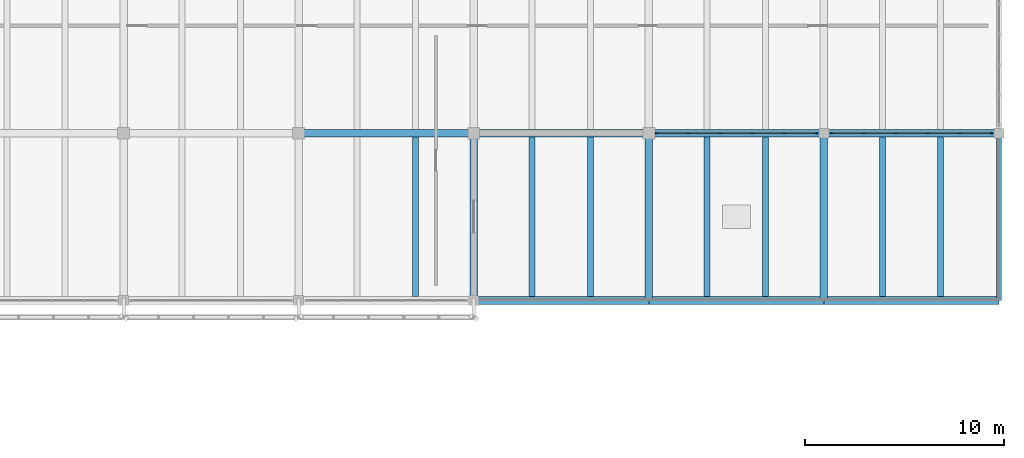
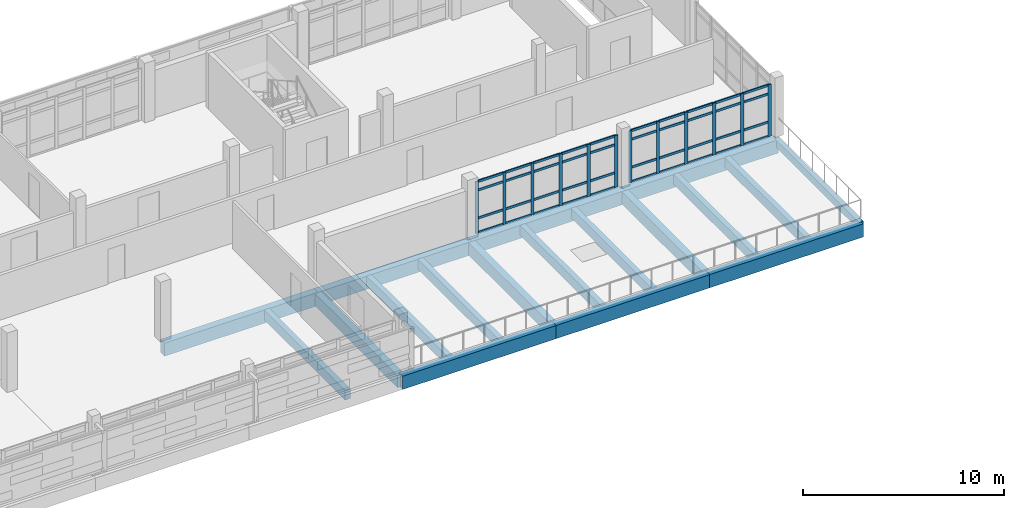
# One storey, part 29 of 50: 52 members, 18 beams, 2 elements without a shape of their own.
"""IFC4 building model written with IfcOpenShell, lengths in metres."""

from ifc_helpers import new_model, si_unit, direction, frame, origin, origin_2d, place, context, subcontext, project, spatial, rectangle, extrude, material, material_profile, profile_set, type_object, element, aggregate, save


model = new_model("IFC4")

# Units and contexts
model_context = context("Model", 3, precision=1e-05, world=origin(), true_north=direction((0.0, 1.0)))
body_context = subcontext(model_context, "Body", "Model", "MODEL_VIEW")
ifc_project = project(units=[si_unit("LENGTHUNIT", "METRE"), si_unit("AREAUNIT", "SQUARE_METRE"), si_unit("VOLUMEUNIT", "CUBIC_METRE"), si_unit("PLANEANGLEUNIT", "RADIAN"), si_unit("MASSUNIT", "GRAM", prefix="KILO")], contexts=[model_context])

# Site, building, storey
site_placement = place(None, origin())
site = spatial("IfcSite", under=ifc_project, at=site_placement, CompositionType="ELEMENT")
building_placement = place(site_placement, origin())
building = spatial("IfcBuilding", under=site, at=building_placement, Name="Cinderway Yard Community Centre", CompositionType="ELEMENT")
storey_placement = place(building_placement, frame((0.0, 0.0, 12.89990234375)))
storey = spatial("IfcBuildingStorey", under=building, at=storey_placement, Name="L03", CompositionType="ELEMENT", Elevation=12.89990234375)

# Curtain wall, members
ifc_material_1 = material(Name="Aluminium 6063-T6", Category="aluminium")
curtain_wall_type = type_object("IfcCurtainWallType", Name="ENV-CW-TYPE-33", PredefinedType="USERDEFINED", material=ifc_material_1)
curtain_wall_1_placement = place(storey_placement, origin())
curtain_wall_1 = element("IfcCurtainWall", 1, at=curtain_wall_1_placement, inside=storey, type_object=curtain_wall_type, Name="V4 Courtyard Curtain Wall ENV-CW-L03-HS-0172", ObjectType="GLAZED CURTAIN WALL", PredefinedType="USERDEFINED")
ifc_material_profile_1 = material_profile(ifc_material_1, rectangle(XDim=0.06494140625, YDim=0.179931640625, at=origin_2d()), Name="Aluminium 6063-T6")
ifc_profile_set_1 = profile_set([ifc_material_profile_1], Name="Aluminium 6063-T6")
member_type_1 = type_object("IfcMemberType", Name="ENV-CW-MULL-180", PredefinedType="MULLION", material=ifc_profile_set_1)
member_1_placement = place(storey_placement, frame((119.610107421875, 98.39990234375, 0.0), z_axis=(0.0, 0.0, 1.0), x_axis=(0.0, 1.0, 0.0)))
member_1 = element("IfcMember", 2, at=member_1_placement, type_object=member_type_1, Name="CW-33 mullion 1", PredefinedType="MULLION", context=body_context, shape_type="SweptSolid", body=[
    extrude(rectangle(XDim=0.06494140625, YDim=0.179931640625, at=origin_2d()), origin(), (0.0, 0.0, 1.0), 3.150146484375),
])
member_2_placement = place(storey_placement, frame((121.18798828125, 98.39990234375, 0.0), z_axis=(0.0, 0.0, 1.0), x_axis=(0.0, 1.0, 0.0)))
member_2 = element("IfcMember", 3, at=member_2_placement, type_object=member_type_1, Name="CW-33 mullion 2", PredefinedType="MULLION", context=body_context, shape_type="SweptSolid", body=[
    extrude(rectangle(XDim=0.06494140625, YDim=0.179931640625, at=origin_2d()), origin(), (0.0, 0.0, 1.0), 3.150146484375),
])
member_3_placement = place(storey_placement, frame((122.7958984375, 98.39990234375, 0.0), z_axis=(0.0, 0.0, 1.0), x_axis=(0.0, 1.0, 0.0)))
member_3 = element("IfcMember", 4, at=member_3_placement, type_object=member_type_1, Name="CW-33 mullion 3", PredefinedType="MULLION", context=body_context, shape_type="SweptSolid", body=[
    extrude(rectangle(XDim=0.06494140625, YDim=0.179931640625, at=origin_2d()), origin(), (0.0, 0.0, 1.0), 3.150146484375),
])
member_4_placement = place(storey_placement, frame((124.404052734375, 98.39990234375, 0.0), z_axis=(0.0, 0.0, 1.0), x_axis=(0.0, 1.0, 0.0)))
member_4 = element("IfcMember", 5, at=member_4_placement, type_object=member_type_1, Name="CW-33 mullion 4", PredefinedType="MULLION", context=body_context, shape_type="SweptSolid", body=[
    extrude(rectangle(XDim=0.06494140625, YDim=0.179931640625, at=origin_2d()), origin(), (0.0, 0.0, 1.0), 3.150146484375),
])
member_5_placement = place(storey_placement, frame((126.011962890625, 98.39990234375, 0.0), z_axis=(0.0, 0.0, 1.0), x_axis=(0.0, 1.0, 0.0)))
member_5 = element("IfcMember", 6, at=member_5_placement, type_object=member_type_1, Name="CW-33 mullion 5", PredefinedType="MULLION", context=body_context, shape_type="SweptSolid", body=[
    extrude(rectangle(XDim=0.06494140625, YDim=0.179931640625, at=origin_2d()), origin(), (0.0, 0.0, 1.0), 3.150146484375),
])
member_6_placement = place(storey_placement, frame((127.590087890625, 98.39990234375, 0.0), z_axis=(0.0, 0.0, 1.0), x_axis=(0.0, 1.0, 0.0)))
member_6 = element("IfcMember", 7, at=member_6_placement, type_object=member_type_1, Name="CW-33 mullion 6", PredefinedType="MULLION", context=body_context, shape_type="SweptSolid", body=[
    extrude(rectangle(XDim=0.06494140625, YDim=0.179931640625, at=origin_2d()), origin(), (0.0, 0.0, 1.0), 3.150146484375),
])

curtain_wall_2_placement = place(storey_placement, origin())
curtain_wall_2 = element("IfcCurtainWall", 8, at=curtain_wall_2_placement, inside=storey, type_object=curtain_wall_type, Name="V4 Courtyard Curtain Wall ENV-CW-L03-HS-0173", ObjectType="GLAZED CURTAIN WALL", PredefinedType="USERDEFINED")
member_7_placement = place(storey_placement, frame((128.409912109375, 98.39990234375, 0.0), z_axis=(0.0, 0.0, 1.0), x_axis=(0.0, 1.0, 0.0)))
member_7 = element("IfcMember", 9, at=member_7_placement, type_object=member_type_1, Name="CW-33 mullion 1", PredefinedType="MULLION", context=body_context, shape_type="SweptSolid", body=[
    extrude(rectangle(XDim=0.06494140625, YDim=0.179931640625, at=origin_2d()), origin(), (0.0, 0.0, 1.0), 3.150146484375),
])
member_8_placement = place(storey_placement, frame((129.988037109375, 98.39990234375, 0.0), z_axis=(0.0, 0.0, 1.0), x_axis=(0.0, 1.0, 0.0)))
member_8 = element("IfcMember", 10, at=member_8_placement, type_object=member_type_1, Name="CW-33 mullion 2", PredefinedType="MULLION", context=body_context, shape_type="SweptSolid", body=[
    extrude(rectangle(XDim=0.06494140625, YDim=0.179931640625, at=origin_2d()), origin(), (0.0, 0.0, 1.0), 3.150146484375),
])
member_9_placement = place(storey_placement, frame((131.595947265625, 98.39990234375, 0.0), z_axis=(0.0, 0.0, 1.0), x_axis=(0.0, 1.0, 0.0)))
member_9 = element("IfcMember", 11, at=member_9_placement, type_object=member_type_1, Name="CW-33 mullion 3", PredefinedType="MULLION", context=body_context, shape_type="SweptSolid", body=[
    extrude(rectangle(XDim=0.06494140625, YDim=0.179931640625, at=origin_2d()), origin(), (0.0, 0.0, 1.0), 3.150146484375),
])
member_10_placement = place(storey_placement, frame((133.2041015625, 98.39990234375, 0.0), z_axis=(0.0, 0.0, 1.0), x_axis=(0.0, 1.0, 0.0)))
member_10 = element("IfcMember", 12, at=member_10_placement, type_object=member_type_1, Name="CW-33 mullion 4", PredefinedType="MULLION", context=body_context, shape_type="SweptSolid", body=[
    extrude(rectangle(XDim=0.06494140625, YDim=0.179931640625, at=origin_2d()), origin(), (0.0, 0.0, 1.0), 3.150146484375),
])
member_11_placement = place(storey_placement, frame((134.81201171875, 98.39990234375, 0.0), z_axis=(0.0, 0.0, 1.0), x_axis=(0.0, 1.0, 0.0)))
member_11 = element("IfcMember", 13, at=member_11_placement, type_object=member_type_1, Name="CW-33 mullion 5", PredefinedType="MULLION", context=body_context, shape_type="SweptSolid", body=[
    extrude(rectangle(XDim=0.06494140625, YDim=0.179931640625, at=origin_2d()), origin(), (0.0, 0.0, 1.0), 3.150146484375),
])
member_12_placement = place(storey_placement, frame((136.389892578125, 98.39990234375, 0.0), z_axis=(0.0, 0.0, 1.0), x_axis=(0.0, 1.0, 0.0)))
member_12 = element("IfcMember", 14, at=member_12_placement, type_object=member_type_1, Name="CW-33 mullion 6", PredefinedType="MULLION", context=body_context, shape_type="SweptSolid", body=[
    extrude(rectangle(XDim=0.06494140625, YDim=0.179931640625, at=origin_2d()), origin(), (0.0, 0.0, 1.0), 3.150146484375),
])

# Member
ifc_material_profile_2 = material_profile(ifc_material_1, rectangle(XDim=0.06494140625, YDim=0.139892578125, at=origin_2d()), Name="Aluminium 6063-T6")
ifc_profile_set_2 = profile_set([ifc_material_profile_2], Name="Aluminium 6063-T6")
member_type_2 = type_object("IfcMemberType", Name="ENV-CW-TRAN-140", PredefinedType="USERDEFINED", material=ifc_profile_set_2)
member_13_placement = place(storey_placement, frame((119.639892578125, 98.39990234375, 0.030029296875), z_axis=(1.0, 0.0, 0.0), x_axis=(0.0, 1.0, 0.0)))
member_13 = element("IfcMember", 15, at=member_13_placement, type_object=member_type_2, Name="CW-33 transom 1.1", ObjectType="TRANSOM", PredefinedType="USERDEFINED", context=body_context, shape_type="SweptSolid", body=[
    extrude(rectangle(XDim=0.06494140625, YDim=0.139892578125, at=origin_2d()), origin(), (0.0, 0.0, 1.0), 1.51806640625),
])

member_14_placement = place(storey_placement, frame((119.639892578125, 98.39990234375, 0.900146484375), z_axis=(1.0, 0.0, 0.0), x_axis=(0.0, 1.0, 0.0)))
member_14 = element("IfcMember", 16, at=member_14_placement, type_object=member_type_2, Name="CW-33 transom 1.2", ObjectType="TRANSOM", PredefinedType="USERDEFINED", context=body_context, shape_type="SweptSolid", body=[
    extrude(rectangle(XDim=0.06494140625, YDim=0.139892578125, at=origin_2d()), origin(), (0.0, 0.0, 1.0), 1.51806640625),
])

member_15_placement = place(storey_placement, frame((119.639892578125, 98.39990234375, 2.60009765625), z_axis=(1.0, 0.0, 0.0), x_axis=(0.0, 1.0, 0.0)))
member_15 = element("IfcMember", 17, at=member_15_placement, type_object=member_type_2, Name="CW-33 transom 1.3", ObjectType="TRANSOM", PredefinedType="USERDEFINED", context=body_context, shape_type="SweptSolid", body=[
    extrude(rectangle(XDim=0.06494140625, YDim=0.139892578125, at=origin_2d()), origin(), (0.0, 0.0, 1.0), 1.51806640625),
])

member_16_placement = place(storey_placement, frame((119.639892578125, 98.39990234375, 3.1201171875), z_axis=(1.0, 0.0, 0.0), x_axis=(0.0, 1.0, 0.0)))
member_16 = element("IfcMember", 18, at=member_16_placement, type_object=member_type_2, Name="CW-33 transom 1.4", ObjectType="TRANSOM", PredefinedType="USERDEFINED", context=body_context, shape_type="SweptSolid", body=[
    extrude(rectangle(XDim=0.06494140625, YDim=0.139892578125, at=origin_2d()), origin(), (0.0, 0.0, 1.0), 1.51806640625),
])

member_17_placement = place(storey_placement, frame((121.218017578125, 98.39990234375, 0.030029296875), z_axis=(1.0, 0.0, 0.0), x_axis=(0.0, 1.0, 0.0)))
member_17 = element("IfcMember", 19, at=member_17_placement, type_object=member_type_2, Name="CW-33 transom 2.1", ObjectType="TRANSOM", PredefinedType="USERDEFINED", context=body_context, shape_type="SweptSolid", body=[
    extrude(rectangle(XDim=0.06494140625, YDim=0.139892578125, at=origin_2d()), origin(), (0.0, 0.0, 1.0), 1.548095703125),
])

member_18_placement = place(storey_placement, frame((121.218017578125, 98.39990234375, 0.900146484375), z_axis=(1.0, 0.0, 0.0), x_axis=(0.0, 1.0, 0.0)))
member_18 = element("IfcMember", 20, at=member_18_placement, type_object=member_type_2, Name="CW-33 transom 2.2", ObjectType="TRANSOM", PredefinedType="USERDEFINED", context=body_context, shape_type="SweptSolid", body=[
    extrude(rectangle(XDim=0.06494140625, YDim=0.139892578125, at=origin_2d()), origin(), (0.0, 0.0, 1.0), 1.548095703125),
])

member_19_placement = place(storey_placement, frame((121.218017578125, 98.39990234375, 2.60009765625), z_axis=(1.0, 0.0, 0.0), x_axis=(0.0, 1.0, 0.0)))
member_19 = element("IfcMember", 21, at=member_19_placement, type_object=member_type_2, Name="CW-33 transom 2.3", ObjectType="TRANSOM", PredefinedType="USERDEFINED", context=body_context, shape_type="SweptSolid", body=[
    extrude(rectangle(XDim=0.06494140625, YDim=0.139892578125, at=origin_2d()), origin(), (0.0, 0.0, 1.0), 1.548095703125),
])

member_20_placement = place(storey_placement, frame((121.218017578125, 98.39990234375, 3.1201171875), z_axis=(1.0, 0.0, 0.0), x_axis=(0.0, 1.0, 0.0)))
member_20 = element("IfcMember", 22, at=member_20_placement, type_object=member_type_2, Name="CW-33 transom 2.4", ObjectType="TRANSOM", PredefinedType="USERDEFINED", context=body_context, shape_type="SweptSolid", body=[
    extrude(rectangle(XDim=0.06494140625, YDim=0.139892578125, at=origin_2d()), origin(), (0.0, 0.0, 1.0), 1.548095703125),
])

member_21_placement = place(storey_placement, frame((122.825927734375, 98.39990234375, 0.030029296875), z_axis=(1.0, 0.0, 0.0), x_axis=(0.0, 1.0, 0.0)))
member_21 = element("IfcMember", 23, at=member_21_placement, type_object=member_type_2, Name="CW-33 transom 3.1", ObjectType="TRANSOM", PredefinedType="USERDEFINED", context=body_context, shape_type="SweptSolid", body=[
    extrude(rectangle(XDim=0.06494140625, YDim=0.139892578125, at=origin_2d()), origin(), (0.0, 0.0, 1.0), 1.548095703125),
])

member_22_placement = place(storey_placement, frame((122.825927734375, 98.39990234375, 0.900146484375), z_axis=(1.0, 0.0, 0.0), x_axis=(0.0, 1.0, 0.0)))
member_22 = element("IfcMember", 24, at=member_22_placement, type_object=member_type_2, Name="CW-33 transom 3.2", ObjectType="TRANSOM", PredefinedType="USERDEFINED", context=body_context, shape_type="SweptSolid", body=[
    extrude(rectangle(XDim=0.06494140625, YDim=0.139892578125, at=origin_2d()), origin(), (0.0, 0.0, 1.0), 1.548095703125),
])

member_23_placement = place(storey_placement, frame((122.825927734375, 98.39990234375, 2.60009765625), z_axis=(1.0, 0.0, 0.0), x_axis=(0.0, 1.0, 0.0)))
member_23 = element("IfcMember", 25, at=member_23_placement, type_object=member_type_2, Name="CW-33 transom 3.3", ObjectType="TRANSOM", PredefinedType="USERDEFINED", context=body_context, shape_type="SweptSolid", body=[
    extrude(rectangle(XDim=0.06494140625, YDim=0.139892578125, at=origin_2d()), origin(), (0.0, 0.0, 1.0), 1.548095703125),
])

member_24_placement = place(storey_placement, frame((122.825927734375, 98.39990234375, 3.1201171875), z_axis=(1.0, 0.0, 0.0), x_axis=(0.0, 1.0, 0.0)))
member_24 = element("IfcMember", 26, at=member_24_placement, type_object=member_type_2, Name="CW-33 transom 3.4", ObjectType="TRANSOM", PredefinedType="USERDEFINED", context=body_context, shape_type="SweptSolid", body=[
    extrude(rectangle(XDim=0.06494140625, YDim=0.139892578125, at=origin_2d()), origin(), (0.0, 0.0, 1.0), 1.548095703125),
])

member_25_placement = place(storey_placement, frame((124.43408203125, 98.39990234375, 0.030029296875), z_axis=(1.0, 0.0, 0.0), x_axis=(0.0, 1.0, 0.0)))
member_25 = element("IfcMember", 27, at=member_25_placement, type_object=member_type_2, Name="CW-33 transom 4.1", ObjectType="TRANSOM", PredefinedType="USERDEFINED", context=body_context, shape_type="SweptSolid", body=[
    extrude(rectangle(XDim=0.06494140625, YDim=0.139892578125, at=origin_2d()), origin(), (0.0, 0.0, 1.0), 1.5478515625),
])

member_26_placement = place(storey_placement, frame((124.43408203125, 98.39990234375, 0.900146484375), z_axis=(1.0, 0.0, 0.0), x_axis=(0.0, 1.0, 0.0)))
member_26 = element("IfcMember", 28, at=member_26_placement, type_object=member_type_2, Name="CW-33 transom 4.2", ObjectType="TRANSOM", PredefinedType="USERDEFINED", context=body_context, shape_type="SweptSolid", body=[
    extrude(rectangle(XDim=0.06494140625, YDim=0.139892578125, at=origin_2d()), origin(), (0.0, 0.0, 1.0), 1.5478515625),
])

member_27_placement = place(storey_placement, frame((124.43408203125, 98.39990234375, 2.60009765625), z_axis=(1.0, 0.0, 0.0), x_axis=(0.0, 1.0, 0.0)))
member_27 = element("IfcMember", 29, at=member_27_placement, type_object=member_type_2, Name="CW-33 transom 4.3", ObjectType="TRANSOM", PredefinedType="USERDEFINED", context=body_context, shape_type="SweptSolid", body=[
    extrude(rectangle(XDim=0.06494140625, YDim=0.139892578125, at=origin_2d()), origin(), (0.0, 0.0, 1.0), 1.5478515625),
])

member_28_placement = place(storey_placement, frame((124.43408203125, 98.39990234375, 3.1201171875), z_axis=(1.0, 0.0, 0.0), x_axis=(0.0, 1.0, 0.0)))
member_28 = element("IfcMember", 30, at=member_28_placement, type_object=member_type_2, Name="CW-33 transom 4.4", ObjectType="TRANSOM", PredefinedType="USERDEFINED", context=body_context, shape_type="SweptSolid", body=[
    extrude(rectangle(XDim=0.06494140625, YDim=0.139892578125, at=origin_2d()), origin(), (0.0, 0.0, 1.0), 1.5478515625),
])

member_29_placement = place(storey_placement, frame((126.0419921875, 98.39990234375, 0.030029296875), z_axis=(1.0, 0.0, 0.0), x_axis=(0.0, 1.0, 0.0)))
member_29 = element("IfcMember", 31, at=member_29_placement, type_object=member_type_2, Name="CW-33 transom 5.1", ObjectType="TRANSOM", PredefinedType="USERDEFINED", context=body_context, shape_type="SweptSolid", body=[
    extrude(rectangle(XDim=0.06494140625, YDim=0.139892578125, at=origin_2d()), origin(), (0.0, 0.0, 1.0), 1.51806640625),
])

member_30_placement = place(storey_placement, frame((126.0419921875, 98.39990234375, 0.900146484375), z_axis=(1.0, 0.0, 0.0), x_axis=(0.0, 1.0, 0.0)))
member_30 = element("IfcMember", 32, at=member_30_placement, type_object=member_type_2, Name="CW-33 transom 5.2", ObjectType="TRANSOM", PredefinedType="USERDEFINED", context=body_context, shape_type="SweptSolid", body=[
    extrude(rectangle(XDim=0.06494140625, YDim=0.139892578125, at=origin_2d()), origin(), (0.0, 0.0, 1.0), 1.51806640625),
])

member_31_placement = place(storey_placement, frame((126.0419921875, 98.39990234375, 2.60009765625), z_axis=(1.0, 0.0, 0.0), x_axis=(0.0, 1.0, 0.0)))
member_31 = element("IfcMember", 33, at=member_31_placement, type_object=member_type_2, Name="CW-33 transom 5.3", ObjectType="TRANSOM", PredefinedType="USERDEFINED", context=body_context, shape_type="SweptSolid", body=[
    extrude(rectangle(XDim=0.06494140625, YDim=0.139892578125, at=origin_2d()), origin(), (0.0, 0.0, 1.0), 1.51806640625),
])

member_32_placement = place(storey_placement, frame((126.0419921875, 98.39990234375, 3.1201171875), z_axis=(1.0, 0.0, 0.0), x_axis=(0.0, 1.0, 0.0)))
member_32 = element("IfcMember", 34, at=member_32_placement, type_object=member_type_2, Name="CW-33 transom 5.4", ObjectType="TRANSOM", PredefinedType="USERDEFINED", context=body_context, shape_type="SweptSolid", body=[
    extrude(rectangle(XDim=0.06494140625, YDim=0.139892578125, at=origin_2d()), origin(), (0.0, 0.0, 1.0), 1.51806640625),
])

aggregate(curtain_wall_1, [member_1, member_2, member_3, member_4, member_5, member_6, member_13, member_14, member_15, member_16, member_17, member_18, member_19, member_20, member_21, member_22, member_23, member_24, member_25, member_26, member_27, member_28, member_29, member_30, member_31, member_32])

member_33_placement = place(storey_placement, frame((128.43994140625, 98.39990234375, 0.030029296875), z_axis=(1.0, 0.0, 0.0), x_axis=(0.0, 1.0, 0.0)))
member_33 = element("IfcMember", 35, at=member_33_placement, type_object=member_type_2, Name="CW-33 transom 1.1", ObjectType="TRANSOM", PredefinedType="USERDEFINED", context=body_context, shape_type="SweptSolid", body=[
    extrude(rectangle(XDim=0.06494140625, YDim=0.139892578125, at=origin_2d()), origin(), (0.0, 0.0, 1.0), 1.51806640625),
])

member_34_placement = place(storey_placement, frame((128.43994140625, 98.39990234375, 0.900146484375), z_axis=(1.0, 0.0, 0.0), x_axis=(0.0, 1.0, 0.0)))
member_34 = element("IfcMember", 36, at=member_34_placement, type_object=member_type_2, Name="CW-33 transom 1.2", ObjectType="TRANSOM", PredefinedType="USERDEFINED", context=body_context, shape_type="SweptSolid", body=[
    extrude(rectangle(XDim=0.06494140625, YDim=0.139892578125, at=origin_2d()), origin(), (0.0, 0.0, 1.0), 1.51806640625),
])

member_35_placement = place(storey_placement, frame((128.43994140625, 98.39990234375, 2.60009765625), z_axis=(1.0, 0.0, 0.0), x_axis=(0.0, 1.0, 0.0)))
member_35 = element("IfcMember", 37, at=member_35_placement, type_object=member_type_2, Name="CW-33 transom 1.3", ObjectType="TRANSOM", PredefinedType="USERDEFINED", context=body_context, shape_type="SweptSolid", body=[
    extrude(rectangle(XDim=0.06494140625, YDim=0.139892578125, at=origin_2d()), origin(), (0.0, 0.0, 1.0), 1.51806640625),
])

member_36_placement = place(storey_placement, frame((128.43994140625, 98.39990234375, 3.1201171875), z_axis=(1.0, 0.0, 0.0), x_axis=(0.0, 1.0, 0.0)))
member_36 = element("IfcMember", 38, at=member_36_placement, type_object=member_type_2, Name="CW-33 transom 1.4", ObjectType="TRANSOM", PredefinedType="USERDEFINED", context=body_context, shape_type="SweptSolid", body=[
    extrude(rectangle(XDim=0.06494140625, YDim=0.139892578125, at=origin_2d()), origin(), (0.0, 0.0, 1.0), 1.51806640625),
])

member_37_placement = place(storey_placement, frame((130.01806640625, 98.39990234375, 0.030029296875), z_axis=(1.0, 0.0, 0.0), x_axis=(0.0, 1.0, 0.0)))
member_37 = element("IfcMember", 39, at=member_37_placement, type_object=member_type_2, Name="CW-33 transom 2.1", ObjectType="TRANSOM", PredefinedType="USERDEFINED", context=body_context, shape_type="SweptSolid", body=[
    extrude(rectangle(XDim=0.06494140625, YDim=0.139892578125, at=origin_2d()), origin(), (0.0, 0.0, 1.0), 1.5478515625),
])

member_38_placement = place(storey_placement, frame((130.01806640625, 98.39990234375, 0.900146484375), z_axis=(1.0, 0.0, 0.0), x_axis=(0.0, 1.0, 0.0)))
member_38 = element("IfcMember", 40, at=member_38_placement, type_object=member_type_2, Name="CW-33 transom 2.2", ObjectType="TRANSOM", PredefinedType="USERDEFINED", context=body_context, shape_type="SweptSolid", body=[
    extrude(rectangle(XDim=0.06494140625, YDim=0.139892578125, at=origin_2d()), origin(), (0.0, 0.0, 1.0), 1.5478515625),
])

member_39_placement = place(storey_placement, frame((130.01806640625, 98.39990234375, 2.60009765625), z_axis=(1.0, 0.0, 0.0), x_axis=(0.0, 1.0, 0.0)))
member_39 = element("IfcMember", 41, at=member_39_placement, type_object=member_type_2, Name="CW-33 transom 2.3", ObjectType="TRANSOM", PredefinedType="USERDEFINED", context=body_context, shape_type="SweptSolid", body=[
    extrude(rectangle(XDim=0.06494140625, YDim=0.139892578125, at=origin_2d()), origin(), (0.0, 0.0, 1.0), 1.5478515625),
])

member_40_placement = place(storey_placement, frame((130.01806640625, 98.39990234375, 3.1201171875), z_axis=(1.0, 0.0, 0.0), x_axis=(0.0, 1.0, 0.0)))
member_40 = element("IfcMember", 42, at=member_40_placement, type_object=member_type_2, Name="CW-33 transom 2.4", ObjectType="TRANSOM", PredefinedType="USERDEFINED", context=body_context, shape_type="SweptSolid", body=[
    extrude(rectangle(XDim=0.06494140625, YDim=0.139892578125, at=origin_2d()), origin(), (0.0, 0.0, 1.0), 1.5478515625),
])

member_41_placement = place(storey_placement, frame((131.6259765625, 98.39990234375, 0.030029296875), z_axis=(1.0, 0.0, 0.0), x_axis=(0.0, 1.0, 0.0)))
member_41 = element("IfcMember", 43, at=member_41_placement, type_object=member_type_2, Name="CW-33 transom 3.1", ObjectType="TRANSOM", PredefinedType="USERDEFINED", context=body_context, shape_type="SweptSolid", body=[
    extrude(rectangle(XDim=0.06494140625, YDim=0.139892578125, at=origin_2d()), origin(), (0.0, 0.0, 1.0), 1.548095703125),
])

member_42_placement = place(storey_placement, frame((131.6259765625, 98.39990234375, 0.900146484375), z_axis=(1.0, 0.0, 0.0), x_axis=(0.0, 1.0, 0.0)))
member_42 = element("IfcMember", 44, at=member_42_placement, type_object=member_type_2, Name="CW-33 transom 3.2", ObjectType="TRANSOM", PredefinedType="USERDEFINED", context=body_context, shape_type="SweptSolid", body=[
    extrude(rectangle(XDim=0.06494140625, YDim=0.139892578125, at=origin_2d()), origin(), (0.0, 0.0, 1.0), 1.548095703125),
])

member_43_placement = place(storey_placement, frame((131.6259765625, 98.39990234375, 2.60009765625), z_axis=(1.0, 0.0, 0.0), x_axis=(0.0, 1.0, 0.0)))
member_43 = element("IfcMember", 45, at=member_43_placement, type_object=member_type_2, Name="CW-33 transom 3.3", ObjectType="TRANSOM", PredefinedType="USERDEFINED", context=body_context, shape_type="SweptSolid", body=[
    extrude(rectangle(XDim=0.06494140625, YDim=0.139892578125, at=origin_2d()), origin(), (0.0, 0.0, 1.0), 1.548095703125),
])

member_44_placement = place(storey_placement, frame((131.6259765625, 98.39990234375, 3.1201171875), z_axis=(1.0, 0.0, 0.0), x_axis=(0.0, 1.0, 0.0)))
member_44 = element("IfcMember", 46, at=member_44_placement, type_object=member_type_2, Name="CW-33 transom 3.4", ObjectType="TRANSOM", PredefinedType="USERDEFINED", context=body_context, shape_type="SweptSolid", body=[
    extrude(rectangle(XDim=0.06494140625, YDim=0.139892578125, at=origin_2d()), origin(), (0.0, 0.0, 1.0), 1.548095703125),
])

member_45_placement = place(storey_placement, frame((133.23388671875, 98.39990234375, 0.030029296875), z_axis=(1.0, 0.0, 0.0), x_axis=(0.0, 1.0, 0.0)))
member_45 = element("IfcMember", 47, at=member_45_placement, type_object=member_type_2, Name="CW-33 transom 4.1", ObjectType="TRANSOM", PredefinedType="USERDEFINED", context=body_context, shape_type="SweptSolid", body=[
    extrude(rectangle(XDim=0.06494140625, YDim=0.139892578125, at=origin_2d()), origin(), (0.0, 0.0, 1.0), 1.548095703125),
])

member_46_placement = place(storey_placement, frame((133.23388671875, 98.39990234375, 0.900146484375), z_axis=(1.0, 0.0, 0.0), x_axis=(0.0, 1.0, 0.0)))
member_46 = element("IfcMember", 48, at=member_46_placement, type_object=member_type_2, Name="CW-33 transom 4.2", ObjectType="TRANSOM", PredefinedType="USERDEFINED", context=body_context, shape_type="SweptSolid", body=[
    extrude(rectangle(XDim=0.06494140625, YDim=0.139892578125, at=origin_2d()), origin(), (0.0, 0.0, 1.0), 1.548095703125),
])

member_47_placement = place(storey_placement, frame((133.23388671875, 98.39990234375, 2.60009765625), z_axis=(1.0, 0.0, 0.0), x_axis=(0.0, 1.0, 0.0)))
member_47 = element("IfcMember", 49, at=member_47_placement, type_object=member_type_2, Name="CW-33 transom 4.3", ObjectType="TRANSOM", PredefinedType="USERDEFINED", context=body_context, shape_type="SweptSolid", body=[
    extrude(rectangle(XDim=0.06494140625, YDim=0.139892578125, at=origin_2d()), origin(), (0.0, 0.0, 1.0), 1.548095703125),
])

member_48_placement = place(storey_placement, frame((133.23388671875, 98.39990234375, 3.1201171875), z_axis=(1.0, 0.0, 0.0), x_axis=(0.0, 1.0, 0.0)))
member_48 = element("IfcMember", 50, at=member_48_placement, type_object=member_type_2, Name="CW-33 transom 4.4", ObjectType="TRANSOM", PredefinedType="USERDEFINED", context=body_context, shape_type="SweptSolid", body=[
    extrude(rectangle(XDim=0.06494140625, YDim=0.139892578125, at=origin_2d()), origin(), (0.0, 0.0, 1.0), 1.548095703125),
])

member_49_placement = place(storey_placement, frame((134.842041015625, 98.39990234375, 0.030029296875), z_axis=(1.0, 0.0, 0.0), x_axis=(0.0, 1.0, 0.0)))
member_49 = element("IfcMember", 51, at=member_49_placement, type_object=member_type_2, Name="CW-33 transom 5.1", ObjectType="TRANSOM", PredefinedType="USERDEFINED", context=body_context, shape_type="SweptSolid", body=[
    extrude(rectangle(XDim=0.06494140625, YDim=0.139892578125, at=origin_2d()), origin(), (0.0, 0.0, 1.0), 1.51806640625),
])

member_50_placement = place(storey_placement, frame((134.842041015625, 98.39990234375, 0.900146484375), z_axis=(1.0, 0.0, 0.0), x_axis=(0.0, 1.0, 0.0)))
member_50 = element("IfcMember", 52, at=member_50_placement, type_object=member_type_2, Name="CW-33 transom 5.2", ObjectType="TRANSOM", PredefinedType="USERDEFINED", context=body_context, shape_type="SweptSolid", body=[
    extrude(rectangle(XDim=0.06494140625, YDim=0.139892578125, at=origin_2d()), origin(), (0.0, 0.0, 1.0), 1.51806640625),
])

member_51_placement = place(storey_placement, frame((134.842041015625, 98.39990234375, 2.60009765625), z_axis=(1.0, 0.0, 0.0), x_axis=(0.0, 1.0, 0.0)))
member_51 = element("IfcMember", 53, at=member_51_placement, type_object=member_type_2, Name="CW-33 transom 5.3", ObjectType="TRANSOM", PredefinedType="USERDEFINED", context=body_context, shape_type="SweptSolid", body=[
    extrude(rectangle(XDim=0.06494140625, YDim=0.139892578125, at=origin_2d()), origin(), (0.0, 0.0, 1.0), 1.51806640625),
])

member_52_placement = place(storey_placement, frame((134.842041015625, 98.39990234375, 3.1201171875), z_axis=(1.0, 0.0, 0.0), x_axis=(0.0, 1.0, 0.0)))
member_52 = element("IfcMember", 54, at=member_52_placement, type_object=member_type_2, Name="CW-33 transom 5.4", ObjectType="TRANSOM", PredefinedType="USERDEFINED", context=body_context, shape_type="SweptSolid", body=[
    extrude(rectangle(XDim=0.06494140625, YDim=0.139892578125, at=origin_2d()), origin(), (0.0, 0.0, 1.0), 1.51806640625),
])

aggregate(curtain_wall_2, [member_7, member_8, member_9, member_10, member_11, member_12, member_33, member_34, member_35, member_36, member_37, member_38, member_39, member_40, member_41, member_42, member_43, member_44, member_45, member_46, member_47, member_48, member_49, member_50, member_51, member_52])

# Beams
ifc_material_2 = material(Name="Concrete C40/50", Category="concrete")
ifc_material_profile_3 = material_profile(ifc_material_2, rectangle(XDim=0.25, YDim=0.449951171875, at=origin_2d()), Name="Concrete C40/50")
ifc_profile_set_3 = profile_set([ifc_material_profile_3], Name="Concrete C40/50")
beam_type_1 = type_object("IfcBeamType", Name="STR-BM-RC250X450", PredefinedType="SPANDREL", material=ifc_profile_set_3)
beam_1_placement = place(storey_placement, frame((136.800048828125, 90.0, -0.46484375), z_axis=(0.0, 1.0, 0.0), x_axis=(-1.0, 0.0, 0.0)))
element("IfcBeam", 55, at=beam_1_placement, inside=storey, type_object=beam_type_1, Name="Transverse girder STR-BM-L03-SP02-0747", PredefinedType="SPANDREL", context=body_context, shape_type="SweptSolid", body=[
    extrude(rectangle(XDim=0.25, YDim=0.449951171875, at=origin_2d()), origin(), (0.0, 0.0, 1.0), 8.39990234375),
])
ifc_material_3 = material(Name="Concrete C35/45", Category="concrete")
ifc_material_profile_4 = material_profile(ifc_material_3, rectangle(XDim=0.300048828125, YDim=0.60009765625, at=origin_2d()), Name="Concrete C35/45")
ifc_profile_set_4 = profile_set([ifc_material_profile_4], Name="Concrete C35/45")
beam_type_2 = type_object("IfcBeamType", Name="STR-BM-RC300X600", PredefinedType="JOIST", material=ifc_profile_set_4)
for number, where, z_axis, x_axis, name in (
    (56, (107.467041015625, 90.181884765625, -0.539794921875), (0.0, 1.0, 0.0), (-1.0, 0.0, 0.0), "Secondary joist STR-BM-L03-BJ02-0789"),
    (57, (113.3330078125, 90.181884765625, -0.539794921875), (0.0, 1.0, 0.0), (-1.0, 0.0, 0.0), "Secondary joist STR-BM-L03-BJ02-0794"),
    (58, (116.26708984375, 90.181884765625, -0.539794921875), (0.0, 1.0, 0.0), (-1.0, 0.0, 0.0), "Secondary joist STR-BM-L03-BJ02-0795"),
    (59, (122.133056640625, 90.181884765625, -0.539794921875), (0.0, 1.0, 0.0), (-1.0, 0.0, 0.0), "Secondary joist STR-BM-L03-BJ02-0799"),
    (60, (125.06689453125, 90.181884765625, -0.539794921875), (0.0, 1.0, 0.0), (-1.0, 0.0, 0.0), "Secondary joist STR-BM-L03-BJ02-0800"),
    (61, (130.93310546875, 90.181884765625, -0.539794921875), (0.0, 1.0, 0.0), (-1.0, 0.0, 0.0), "Secondary joist STR-BM-L03-BJ02-0805"),
    (62, (133.866943359375, 90.181884765625, -0.539794921875), (0.0, 1.0, 0.0), (-1.0, 0.0, 0.0), "Secondary joist STR-BM-L03-BJ02-0806"),
):
    element("IfcBeam", number, at=place(storey_placement, frame(where, z_axis=z_axis, x_axis=x_axis)), inside=storey, type_object=beam_type_2, Name=name, PredefinedType="JOIST", context=body_context, shape_type="SweptSolid", body=[
        extrude(rectangle(XDim=0.300048828125, YDim=0.60009765625, at=origin_2d()), origin(), (0.0, 0.0, 1.0), 8.0361328125),
    ])
ifc_material_profile_5 = material_profile(ifc_material_3, rectangle(XDim=0.3798828125, YDim=0.75, at=origin_2d()), Name="Concrete C35/45")
ifc_profile_set_5 = profile_set([ifc_material_profile_5], Name="Concrete C35/45")
beam_type_3 = type_object("IfcBeamType", Name="STR-BM-RC380X750", PredefinedType="BEAM", material=ifc_profile_set_5)
for number, where, z_axis, x_axis, name in (
    (63, (110.39990234375, 90.0, -0.614990234375), (0.0, 1.0, 0.0), (-1.0, 0.0, 0.0), "Transverse girder STR-BM-L03-BG06-0738"),
    (64, (119.199951171875, 90.0, -0.614990234375), (0.0, 1.0, 0.0), (-1.0, 0.0, 0.0), "Transverse girder STR-BM-L03-BG06-0741"),
    (65, (128.0, 90.0, -0.614990234375), (0.0, 1.0, 0.0), (-1.0, 0.0, 0.0), "Transverse girder STR-BM-L03-BG06-0744"),
):
    element("IfcBeam", number, at=place(storey_placement, frame(where, z_axis=z_axis, x_axis=x_axis)), inside=storey, type_object=beam_type_3, Name=name, PredefinedType="BEAM", context=body_context, shape_type="SweptSolid", body=[
        extrude(rectangle(XDim=0.3798828125, YDim=0.75, at=origin_2d()), origin(), (0.0, 0.0, 1.0), 8.39990234375),
    ])
ifc_material_profile_6 = material_profile(ifc_material_2, rectangle(XDim=0.39990234375, YDim=0.800048828125, at=origin_2d()), Name="Concrete C40/50")
ifc_profile_set_6 = profile_set([ifc_material_profile_6], Name="Concrete C40/50")
beam_type_4 = type_object("IfcBeamType", Name="STR-BM-RC400X800", PredefinedType="BEAM", material=ifc_profile_set_6)
for number, where, z_axis, x_axis, name in (
    (66, (110.39990234375, 90.0, -0.639892578125), (1.0, 0.0, 0.0), (0.0, 1.0, 0.0), "Primary girder STR-BM-L03-BG05-0678"),
    (67, (119.199951171875, 90.0, -0.639892578125), (1.0, 0.0, 0.0), (0.0, 1.0, 0.0), "Primary girder STR-BM-L03-BG05-0679"),
    (68, (128.0, 90.0, -0.639892578125), (1.0, 0.0, 0.0), (0.0, 1.0, 0.0), "Primary girder STR-BM-L03-BG05-0680"),
):
    element("IfcBeam", number, at=place(storey_placement, frame(where, z_axis=z_axis, x_axis=x_axis)), inside=storey, type_object=beam_type_4, Name=name, PredefinedType="BEAM", context=body_context, shape_type="SweptSolid", body=[
        extrude(rectangle(XDim=0.39990234375, YDim=0.800048828125, at=origin_2d()), origin(), (0.0, 0.0, 1.0), 8.800048828125),
    ])
beam_2_placement = place(storey_placement, frame((101.60009765625, 98.39990234375, -0.639892578125), z_axis=(1.0, 0.0, 0.0), x_axis=(0.0, 1.0, 0.0)))
element("IfcBeam", 69, at=beam_2_placement, inside=storey, type_object=beam_type_4, Name="Primary girder STR-BM-L03-BG05-0688", PredefinedType="BEAM", context=body_context, shape_type="SweptSolid", body=[
    extrude(rectangle(XDim=0.39990234375, YDim=0.800048828125, at=origin_2d()), origin(), (0.0, 0.0, 1.0), 8.7998046875),
])
for number, where, z_axis, x_axis, name in (
    (70, (110.39990234375, 98.39990234375, -0.639892578125), (1.0, 0.0, 0.0), (0.0, 1.0, 0.0), "Primary girder STR-BM-L03-BG05-0689"),
    (71, (119.199951171875, 98.39990234375, -0.639892578125), (1.0, 0.0, 0.0), (0.0, 1.0, 0.0), "Primary girder STR-BM-L03-BG05-0690"),
    (72, (128.0, 98.39990234375, -0.639892578125), (1.0, 0.0, 0.0), (0.0, 1.0, 0.0), "Primary girder STR-BM-L03-BG05-0691"),
):
    element("IfcBeam", number, at=place(storey_placement, frame(where, z_axis=z_axis, x_axis=x_axis)), inside=storey, type_object=beam_type_4, Name=name, PredefinedType="BEAM", context=body_context, shape_type="SweptSolid", body=[
        extrude(rectangle(XDim=0.39990234375, YDim=0.800048828125, at=origin_2d()), origin(), (0.0, 0.0, 1.0), 8.800048828125),
    ])

save(model, "model.ifc")
